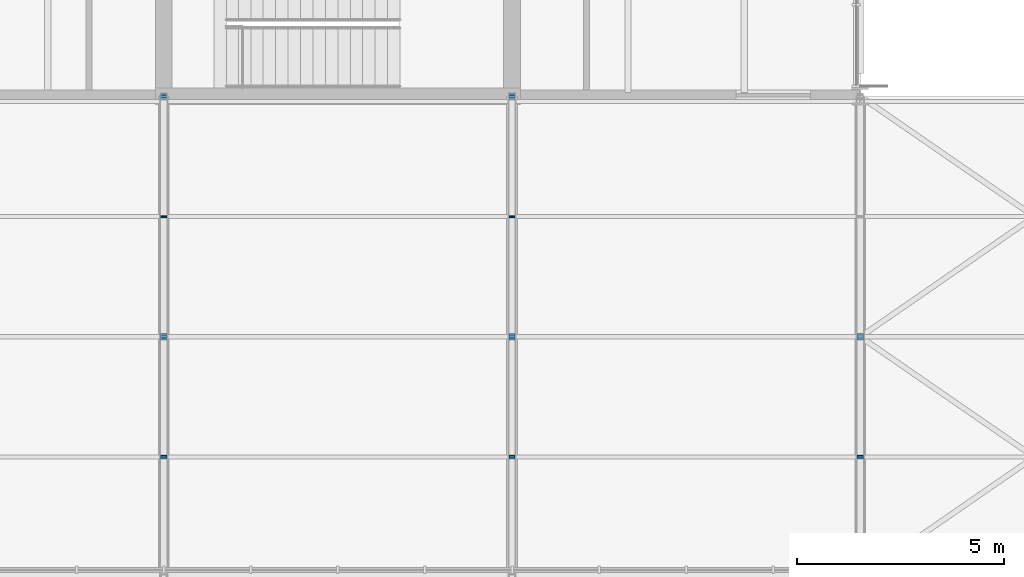
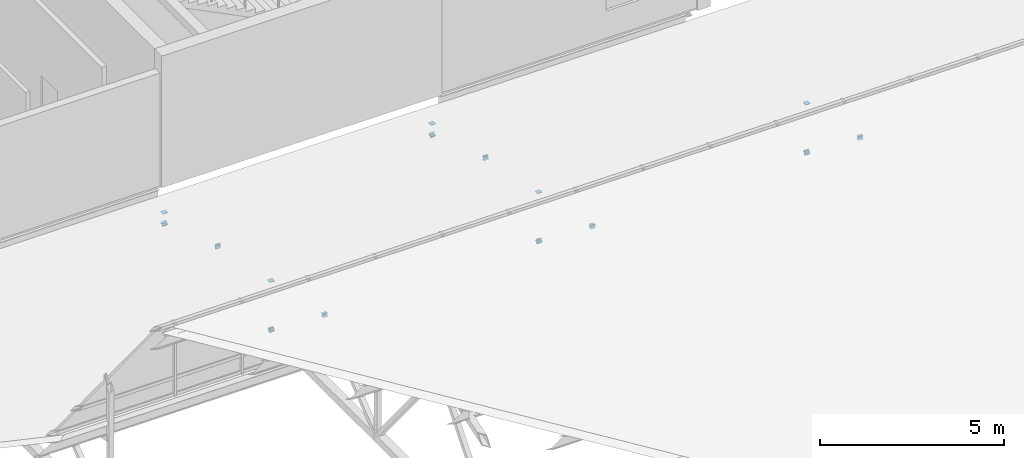
# One storey, part 70 of 89: 28 discrete accessories.
"""IFC4 building model written with IfcOpenShell, lengths in metres."""

from ifc_helpers import new_model, si_unit, direction, frame, origin, origin_2d, place, context, subcontext, project, spatial, rectangle, extrude, material, element, save


model = new_model("IFC4")

# Units and contexts
model_context = context("Model", 3, precision=1e-05, world=origin(), true_north=direction((0.0, 1.0)))
body_context = subcontext(model_context, "Body", "Model", "MODEL_VIEW")
ifc_project = project(units=[si_unit("LENGTHUNIT", "METRE"), si_unit("AREAUNIT", "SQUARE_METRE"), si_unit("VOLUMEUNIT", "CUBIC_METRE"), si_unit("PLANEANGLEUNIT", "RADIAN"), si_unit("MASSUNIT", "GRAM", prefix="KILO")], contexts=[model_context])

# Site, building, storey
site_placement = place(None, origin())
site = spatial("IfcSite", under=ifc_project, at=site_placement, CompositionType="ELEMENT")
building_placement = place(site_placement, origin())
building = spatial("IfcBuilding", under=site, at=building_placement, Name="Hlaing Beacon Police Headquarters", CompositionType="ELEMENT")
storey_placement = place(building_placement, frame((0.0, 0.0, 9.89990234375)))
storey = spatial("IfcBuildingStorey", under=building, at=storey_placement, Name="L02", CompositionType="ELEMENT", Elevation=9.89990234375)

# Discrete accessories
ifc_material = material(Name="Steel ASTM A572 Grade 50", Category="steel")
for number, where, z_axis, x_axis, name in (
    (1, (109.199951171875, 27.800048828125, -1.36474609375), (0.0, 0.0, -1.0), (1.0, 0.0, 0.0), "Gusset plate GP-577"),
    (2, (109.199951171875, 27.800048828125, 0.250244140625), (0.0, 0.0, 1.0), (1.0, 0.0, 0.0), "Gusset plate GP-578"),
    (3, (109.199951171875, 33.60009765625, -1.36474609375), (0.0, 0.0, -1.0), (1.0, 0.0, 0.0), "Gusset plate GP-579"),
    (4, (109.199951171875, 33.60009765625, -0.999755859375), (0.0, 0.0, 1.0), (1.0, 0.0, 0.0), "Gusset plate GP-580"),
):
    element("IfcDiscreteAccessory", number, at=place(storey_placement, frame(where, z_axis=z_axis, x_axis=x_axis)), inside=storey, material=ifc_material, Name=name, PredefinedType="BRACKET", context=body_context, shape_type="SweptSolid", body=[
        extrude(rectangle(XDim=0.15234375, YDim=0.15234375, at=origin_2d()), origin(), (0.0, 0.0, 1.0), 0.01611328125),
    ])
for number, where, z_axis, x_axis, name in (
    (5, (109.199951171875, 24.89501953125, 0.879638671875), (0.0, 0.789269916933, 0.614046413738), (-1.0, 0.0, 0.0), "Gusset plate GP-590"),
    (6, (109.199951171875, 24.904541015625, 0.879638671875), (0.0, -0.789294969398, 0.614014210978), (1.0, 0.0, 0.0), "Gusset plate GP-591"),
    (7, (109.199951171875, 27.795166015625, -1.369140625), (0.0, 0.789294969398, -0.614014210978), (-1.0, 0.0, 0.0), "Gusset plate GP-592"),
    (8, (109.199951171875, 27.8056640625, -1.370849609375), (0.0, -0.944755103934, -0.327777048603), (1.0, 0.0, 0.0), "Gusset plate GP-593"),
    (9, (109.199951171875, 30.6943359375, -0.36865234375), (0.0, 0.944755103934, 0.327777048603), (-1.0, 0.0, 0.0), "Gusset plate GP-594"),
    (10, (109.199951171875, 30.70556640625, -0.36865234375), (0.0, -0.944763648383, 0.327752419815), (1.0, 0.0, 0.0), "Gusset plate GP-595"),
    (11, (109.199951171875, 33.594482421875, -1.370849609375), (0.0, 0.944763648383, -0.327752419815), (-1.0, 0.0, 0.0), "Gusset plate GP-596"),
):
    element("IfcDiscreteAccessory", number, at=place(storey_placement, frame(where, z_axis=z_axis, x_axis=x_axis)), inside=storey, material=ifc_material, Name=name, PredefinedType="BRACKET", context=body_context, shape_type="SweptSolid", body=[
        extrude(rectangle(XDim=0.15234375, YDim=0.15234375, at=origin_2d()), origin(), (0.0, 0.0, 1.0), 0.011962890625),
    ])
for number, where, z_axis, x_axis, name in (
    (12, (117.60009765625, 27.800048828125, -1.36474609375), (0.0, 0.0, -1.0), (1.0, 0.0, 0.0), "Gusset plate GP-603"),
    (13, (117.60009765625, 27.800048828125, 0.250244140625), (0.0, 0.0, 1.0), (1.0, 0.0, 0.0), "Gusset plate GP-604"),
    (14, (117.60009765625, 33.60009765625, -1.36474609375), (0.0, 0.0, -1.0), (1.0, 0.0, 0.0), "Gusset plate GP-605"),
    (15, (117.60009765625, 33.60009765625, -0.999755859375), (0.0, 0.0, 1.0), (1.0, 0.0, 0.0), "Gusset plate GP-606"),
):
    element("IfcDiscreteAccessory", number, at=place(storey_placement, frame(where, z_axis=z_axis, x_axis=x_axis)), inside=storey, material=ifc_material, Name=name, PredefinedType="BRACKET", context=body_context, shape_type="SweptSolid", body=[
        extrude(rectangle(XDim=0.15234375, YDim=0.15234375, at=origin_2d()), origin(), (0.0, 0.0, 1.0), 0.01611328125),
    ])
for number, where, z_axis, x_axis, name in (
    (16, (117.60009765625, 24.89501953125, 0.879638671875), (0.0, 0.789269916933, 0.614046413738), (-1.0, 0.0, 0.0), "Gusset plate GP-616"),
    (17, (117.60009765625, 24.904541015625, 0.879638671875), (0.0, -0.789294969398, 0.614014210978), (1.0, 0.0, 0.0), "Gusset plate GP-617"),
    (18, (117.60009765625, 27.795166015625, -1.369140625), (0.0, 0.789294969398, -0.614014210978), (-1.0, 0.0, 0.0), "Gusset plate GP-618"),
    (19, (117.60009765625, 27.8056640625, -1.370849609375), (0.0, -0.944755103934, -0.327777048603), (1.0, 0.0, 0.0), "Gusset plate GP-619"),
    (20, (117.60009765625, 30.6943359375, -0.36865234375), (0.0, 0.944755103934, 0.327777048603), (-1.0, 0.0, 0.0), "Gusset plate GP-620"),
    (21, (117.60009765625, 30.70556640625, -0.36865234375), (0.0, -0.944763648383, 0.327752419815), (1.0, 0.0, 0.0), "Gusset plate GP-621"),
    (22, (117.60009765625, 33.594482421875, -1.370849609375), (0.0, 0.944763648383, -0.327752419815), (-1.0, 0.0, 0.0), "Gusset plate GP-622"),
):
    element("IfcDiscreteAccessory", number, at=place(storey_placement, frame(where, z_axis=z_axis, x_axis=x_axis)), inside=storey, material=ifc_material, Name=name, PredefinedType="BRACKET", context=body_context, shape_type="SweptSolid", body=[
        extrude(rectangle(XDim=0.15234375, YDim=0.15234375, at=origin_2d()), origin(), (0.0, 0.0, 1.0), 0.011962890625),
    ])
for number, where, z_axis, x_axis, name in (
    (23, (126.0, 27.800048828125, -1.36474609375), (0.0, 0.0, -1.0), (1.0, 0.0, 0.0), "Gusset plate GP-629"),
    (24, (126.0, 27.800048828125, 0.250244140625), (0.0, 0.0, 1.0), (1.0, 0.0, 0.0), "Gusset plate GP-630"),
):
    element("IfcDiscreteAccessory", number, at=place(storey_placement, frame(where, z_axis=z_axis, x_axis=x_axis)), inside=storey, material=ifc_material, Name=name, PredefinedType="BRACKET", context=body_context, shape_type="SweptSolid", body=[
        extrude(rectangle(XDim=0.15234375, YDim=0.15234375, at=origin_2d()), origin(), (0.0, 0.0, 1.0), 0.01611328125),
    ])
for number, where, z_axis, x_axis, name in (
    (25, (126.0, 24.89501953125, 0.879638671875), (0.0, 0.789269916933, 0.614046413738), (-1.0, 0.0, 0.0), "Gusset plate GP-642"),
    (26, (126.0, 24.904541015625, 0.879638671875), (0.0, -0.789294969398, 0.614014210978), (1.0, 0.0, 0.0), "Gusset plate GP-643"),
    (27, (126.0, 27.795166015625, -1.369140625), (0.0, 0.789294969398, -0.614014210978), (-1.0, 0.0, 0.0), "Gusset plate GP-644"),
    (28, (126.0, 27.8056640625, -1.370849609375), (0.0, -0.944755103934, -0.327777048603), (1.0, 0.0, 0.0), "Gusset plate GP-645"),
):
    element("IfcDiscreteAccessory", number, at=place(storey_placement, frame(where, z_axis=z_axis, x_axis=x_axis)), inside=storey, material=ifc_material, Name=name, PredefinedType="BRACKET", context=body_context, shape_type="SweptSolid", body=[
        extrude(rectangle(XDim=0.15234375, YDim=0.15234375, at=origin_2d()), origin(), (0.0, 0.0, 1.0), 0.011962890625),
    ])

save(model, "model.ifc")
